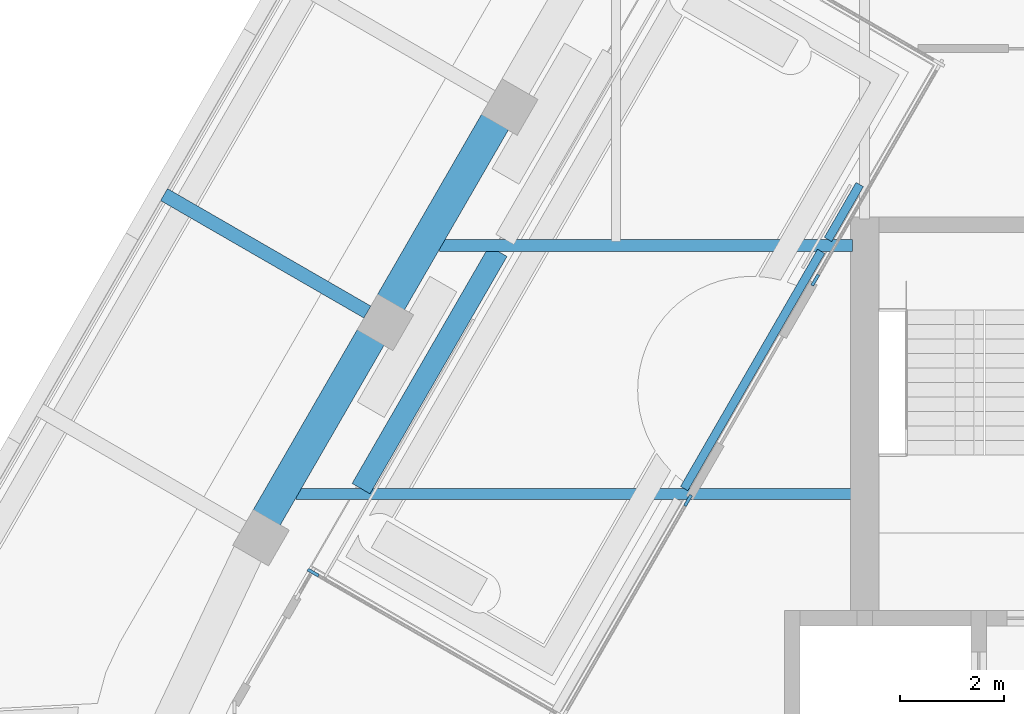
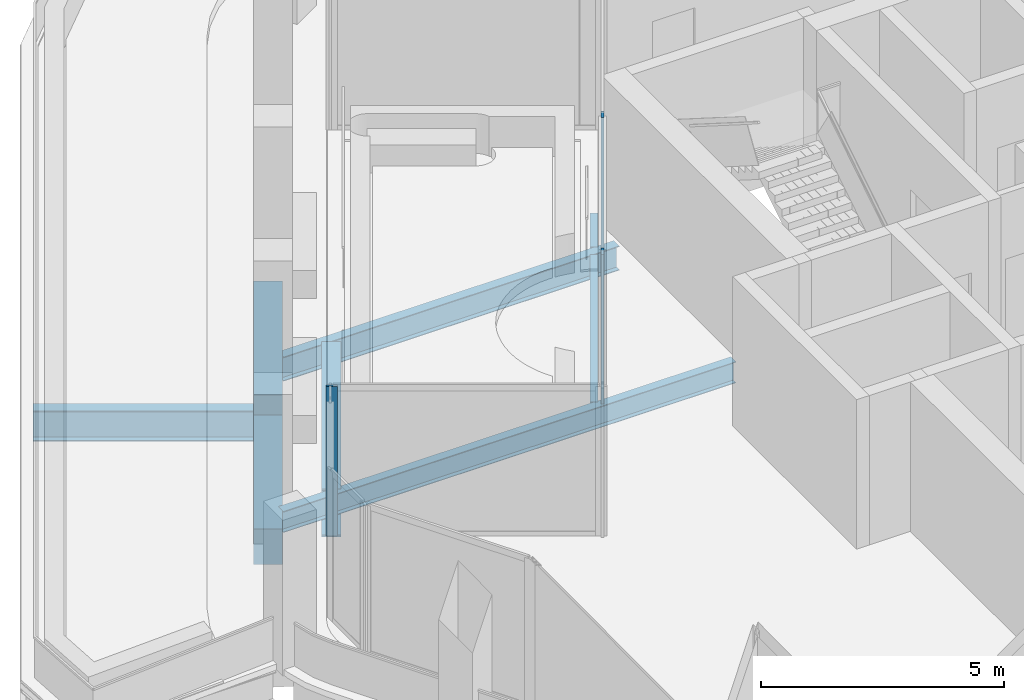
# One storey, part 3 of 16: 8 beams, 3 members, 3 elements without a shape of their own.
"""IFC4 building model written with IfcOpenShell, lengths in metres."""

from ifc_helpers import new_model, si_unit, direction, frame, origin, origin_2d, place, context, subcontext, project, spatial, rectangle, i_section, extrude, material, material_profile, profile_set, type_object, element, aggregate, save


model = new_model("IFC4")

# Units and contexts
model_context = context("Model", 3, precision=1e-05, world=origin(), true_north=direction((0.0, 1.0)))
body_context = subcontext(model_context, "Body", "Model", "MODEL_VIEW")
ifc_project = project(units=[si_unit("LENGTHUNIT", "METRE"), si_unit("AREAUNIT", "SQUARE_METRE"), si_unit("VOLUMEUNIT", "CUBIC_METRE"), si_unit("PLANEANGLEUNIT", "RADIAN"), si_unit("MASSUNIT", "GRAM", prefix="KILO")], contexts=[model_context])

# Site, building, storey
site_placement = place(None, origin())
site = spatial("IfcSite", under=ifc_project, at=site_placement, CompositionType="ELEMENT")
building_placement = place(site_placement, origin())
building = spatial("IfcBuilding", under=site, at=building_placement, Name="Kolab Exchange Tower", CompositionType="ELEMENT")
storey_placement = place(building_placement, frame((0.0, 0.0, 254.0)))
storey = spatial("IfcBuildingStorey", under=building, at=storey_placement, Name="L56", CompositionType="ELEMENT", Elevation=254.0)

# Beams
ifc_material_1 = material(Name="Steel S355", Category="steel")
ifc_material_profile_1 = material_profile(ifc_material_1, i_section(OverallWidth=0.39990234375, OverallDepth=1.199951171875, WebThickness=0.02490234375, FlangeThickness=0.0400390625, at=origin_2d()), Name="PG1200X400")
ifc_profile_set_1 = profile_set([ifc_material_profile_1], Name="Steel S355")
beam_type_1 = type_object("IfcBeamType", Name="FLOOR BEAM PG1200X400", PredefinedType="BEAM", material=ifc_profile_set_1)
beam_1_placement = place(storey_placement, frame((-19.322021484375, 4.904541015625, -0.75), z_axis=(0.499980785011, 0.866036497279, 0.0), x_axis=(-0.866036497279, 0.499980785011, 0.0)))
element("IfcBeam", 1, at=beam_1_placement, inside=storey, type_object=beam_type_1, Name="beam/L56/fr/003", PredefinedType="BEAM", context=body_context, shape_type="SweptSolid", body=[
    extrude(i_section(OverallWidth=0.39990234375, OverallDepth=1.199951171875, WebThickness=0.02490234375, FlangeThickness=0.0400390625, at=origin_2d()), origin(), (0.0, 0.0, 1.0), 5.290283203125),
])
ifc_material_profile_2 = material_profile(ifc_material_1, i_section(OverallWidth=0.1650390625, OverallDepth=0.31005859375, WebThickness=0.005859375, FlangeThickness=0.009765625, at=origin_2d()), Name="W310X39")
ifc_profile_set_2 = profile_set([ifc_material_profile_2], Name="Steel S355")
beam_type_2 = type_object("IfcBeamType", Name="FLOOR BEAM W310X39", PredefinedType="BEAM", material=ifc_profile_set_2)
beam_2_placement = place(storey_placement, frame((-13.084228515625, 4.904541015625, -0.304931640625), z_axis=(0.499980785011, 0.866036497279, 0.0), x_axis=(-0.866036497279, 0.499980785011, 0.0)))
element("IfcBeam", 2, at=beam_2_placement, inside=storey, type_object=beam_type_2, Name="beam/L56/fr/008", PredefinedType="BEAM", context=body_context, shape_type="SweptSolid", body=[
    extrude(i_section(OverallWidth=0.1650390625, OverallDepth=0.31005859375, WebThickness=0.005859375, FlangeThickness=0.009765625, at=origin_2d()), origin(), (0.0, 0.0, 1.0), 5.290283203125),
])
beam_3_placement = place(storey_placement, frame((-10.3076171875, 9.714111328125, -0.304931640625), z_axis=(0.500061746146, 0.865989751695, 0.0), x_axis=(-0.865989751695, 0.500061746146, 0.0)))
element("IfcBeam", 3, at=beam_3_placement, inside=storey, type_object=beam_type_2, Name="beam/L56/fr/009", PredefinedType="BEAM", context=body_context, shape_type="SweptSolid", body=[
    extrude(i_section(OverallWidth=0.1650390625, OverallDepth=0.31005859375, WebThickness=0.005859375, FlangeThickness=0.009765625, at=origin_2d()), origin(), (0.0, 0.0, 1.0), 1.224853515625),
])
ifc_material_profile_3 = material_profile(ifc_material_1, i_section(OverallWidth=0.208984375, OverallDepth=0.532958984375, WebThickness=0.01025390625, FlangeThickness=0.015625, at=origin_2d()), Name="W530X92")
ifc_profile_set_3 = profile_set([ifc_material_profile_3], Name="Steel S355")
beam_type_3 = type_object("IfcBeamType", Name="FLOOR BEAM W530X92", PredefinedType="BEAM", material=ifc_profile_set_3)
beam_4_placement = place(storey_placement, frame((-20.575927734375, 4.800048828125, -0.41650390625), z_axis=(1.0, 0.0, 0.0), x_axis=(0.0, 1.0, 0.0)))
element("IfcBeam", 4, at=beam_4_placement, inside=storey, type_object=beam_type_3, Name="beam/L56/fr/002", PredefinedType="BEAM", context=body_context, shape_type="SweptSolid", body=[
    extrude(i_section(OverallWidth=0.208984375, OverallDepth=0.532958984375, WebThickness=0.01025390625, FlangeThickness=0.015625, at=origin_2d()), origin(), (0.0, 0.0, 1.0), 10.740966796875),
])
ifc_material_profile_4 = material_profile(ifc_material_1, i_section(OverallWidth=0.22802734375, OverallDepth=0.60791015625, WebThickness=0.01123046875, FlangeThickness=0.017333984375, at=origin_2d()), Name="W610X113")
ifc_profile_set_4 = profile_set([ifc_material_profile_4], Name="Steel S355")
beam_type_4 = type_object("IfcBeamType", Name="FLOOR GIRDER W610X113", PredefinedType="BEAM", material=ifc_profile_set_4)
beam_5_placement = place(storey_placement, frame((-17.8046875, 9.60009765625, -0.4541015625), z_axis=(1.0, 0.0, 0.0), x_axis=(0.0, 1.0, 0.0)))
element("IfcBeam", 5, at=beam_5_placement, inside=storey, type_object=beam_type_4, Name="beam/L56/gd/001", PredefinedType="BEAM", context=body_context, shape_type="SweptSolid", body=[
    extrude(i_section(OverallWidth=0.22802734375, OverallDepth=0.60791015625, WebThickness=0.01123046875, FlangeThickness=0.017333984375, at=origin_2d()), origin(), (0.0, 0.0, 1.0), 7.9697265625),
])
ifc_material_profile_5 = material_profile(ifc_material_1, i_section(OverallWidth=0.26708984375, OverallDepth=0.761962890625, WebThickness=0.014404296875, FlangeThickness=0.021484375, at=origin_2d()), Name="W760X173")
ifc_profile_set_5 = profile_set([ifc_material_profile_5], Name="Steel S355")
beam_type_5 = type_object("IfcBeamType", Name="FLOOR GIRDER W760X173", PredefinedType="BEAM", material=ifc_profile_set_5)
beam_6_placement = place(storey_placement, frame((-19.199951171875, 8.313720703125, -0.591064453125), z_axis=(-0.866020560687, 0.500008388397, 0.0), x_axis=(-0.500008388397, -0.866020560687, 0.0)))
element("IfcBeam", 6, at=beam_6_placement, inside=storey, type_object=beam_type_5, Name="beam/L56/ledge/rib-02", PredefinedType="BEAM", context=body_context, shape_type="SweptSolid", body=[
    extrude(i_section(OverallWidth=0.26708984375, OverallDepth=0.761962890625, WebThickness=0.014404296875, FlangeThickness=0.021484375, at=origin_2d()), origin(), (0.0, 0.0, 1.0), 4.533203125),
])
ifc_material_2 = material(Name="Concrete C50/60", Category="concrete")
ifc_material_profile_6 = material_profile(ifc_material_2, rectangle(XDim=0.60009765625, YDim=0.89990234375, at=origin_2d()), Name="RC600X900")
ifc_profile_set_6 = profile_set([ifc_material_profile_6], Name="Concrete C50/60")
beam_type_6 = type_object("IfcBeamType", Name="SPANDREL BEAM 600X900 C50/60", PredefinedType="BEAM", material=ifc_profile_set_6)
for number, where, z_axis, x_axis, name in (
    (7, (-21.16015625, 4.318603515625, -0.60009765625), (0.500000428765, 0.866025156237, 0.0), (-0.866025156237, 0.500000428765, 0.0), "beam/L56/sp/F6-02"),
    (8, (-18.76025390625, 8.4755859375, -0.60009765625), (0.500000428765, 0.866025156237, 0.0), (-0.866025156237, 0.500000428765, 0.0), "beam/L56/sp/F6-03"),
):
    element("IfcBeam", number, at=place(storey_placement, frame(where, z_axis=z_axis, x_axis=x_axis)), inside=storey, type_object=beam_type_6, Name=name, PredefinedType="BEAM", context=body_context, shape_type="SweptSolid", body=[
        extrude(rectangle(XDim=0.60009765625, YDim=0.89990234375, at=origin_2d()), origin(), (0.0, 0.0, 1.0), 4.080078125),
    ])

# Curtain wall, member
ifc_material_3 = material(Name="Aluminium EN AW-6063 T6", Category="aluminium")
curtain_wall_type = type_object("IfcCurtainWallType", Name="UNITISED HIGH ZONE CURTAIN WALL", PredefinedType="NOTDEFINED", material=ifc_material_3)
curtain_wall_1_placement = place(storey_placement, origin())
curtain_wall_1 = element("IfcCurtainWall", 9, at=curtain_wall_1_placement, inside=storey, type_object=curtain_wall_type, Name="cw/L56/F6-rl-1", PredefinedType="NOTDEFINED")
ifc_material_profile_7 = material_profile(ifc_material_3, rectangle(XDim=0.06005859375, YDim=0.239990234375, at=origin_2d()), Name="RECT 60X240")
ifc_profile_set_7 = profile_set([ifc_material_profile_7], Name="Aluminium EN AW-6063 T6")
member_type = type_object("IfcMemberType", Name="UNITISED HIGH ZONE MULLION 60 X 240", PredefinedType="MULLION", material=ifc_profile_set_7)
member_1_placement = place(storey_placement, frame((-20.24560546875, 3.28271484375, 0.0), z_axis=(0.0, 0.0, 1.0), x_axis=(0.500000020194, 0.866025392126, 0.0)))
member_1 = element("IfcMember", 10, at=member_1_placement, type_object=member_type, Name="CW4 mullion 1", PredefinedType="MULLION", context=body_context, shape_type="SweptSolid", body=[
    extrude(rectangle(XDim=0.06005859375, YDim=0.239990234375, at=origin_2d()), origin(), (0.0, 0.0, 1.0), 3.75),
])
aggregate(curtain_wall_1, [member_1])

curtain_wall_2_placement = place(storey_placement, origin())
curtain_wall_2 = element("IfcCurtainWall", 11, at=curtain_wall_2_placement, inside=storey, type_object=curtain_wall_type, Name="cw/L56/F6-back-1", PredefinedType="NOTDEFINED")
member_2_placement = place(storey_placement, frame((-13.01025390625, 4.6748046875, 0.0), z_axis=(0.0, 0.0, 1.0), x_axis=(-0.866025376121, 0.500000047915, 0.0)))
member_2 = element("IfcMember", 12, at=member_2_placement, type_object=member_type, Name="CW4 mullion 2", PredefinedType="MULLION", context=body_context, shape_type="SweptSolid", body=[
    extrude(rectangle(XDim=0.06005859375, YDim=0.239990234375, at=origin_2d()), origin(), (0.0, 0.0, 1.0), 3.75),
])
aggregate(curtain_wall_2, [member_2])

curtain_wall_3_placement = place(storey_placement, origin())
curtain_wall_3 = element("IfcCurtainWall", 13, at=curtain_wall_3_placement, inside=storey, type_object=curtain_wall_type, Name="cw/L56/F6-back-2", PredefinedType="NOTDEFINED")
member_3_placement = place(storey_placement, frame((-10.5537109375, 8.929931640625, 0.0), z_axis=(0.0, 0.0, 1.0), x_axis=(-0.866025376121, 0.500000047915, 0.0)))
member_3 = element("IfcMember", 14, at=member_3_placement, type_object=member_type, Name="CW4 mullion 1", PredefinedType="MULLION", context=body_context, shape_type="SweptSolid", body=[
    extrude(rectangle(XDim=0.06005859375, YDim=0.239990234375, at=origin_2d()), origin(), (0.0, 0.0, 1.0), 3.75),
])
aggregate(curtain_wall_3, [member_3])

save(model, "model.ifc")
